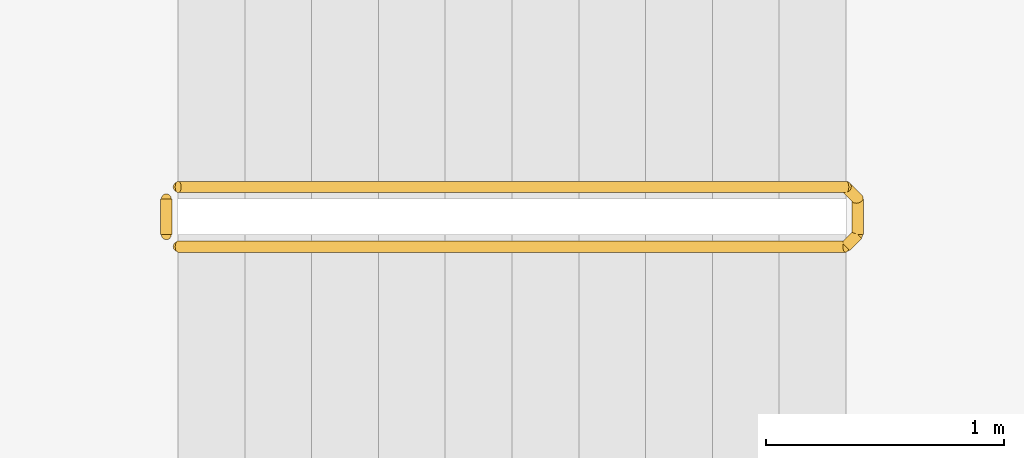
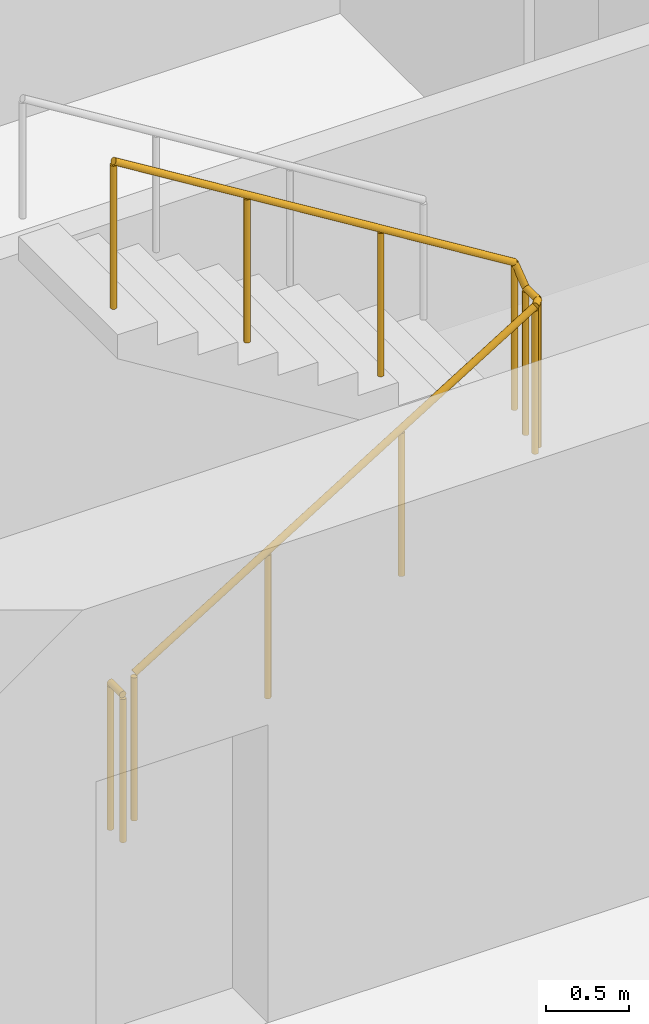
# One storey, part 10 of 14: 2 railings.
"""IFC4 building model written with IfcOpenShell, lengths in metres."""

from ifc_helpers import new_model, si_unit, direction, frame, origin, origin_2d, place, context, subcontext, project, spatial, circle, extrude, material, type_object, element, save


model = new_model("IFC4")

# Units and contexts
model_context = context("Model", 3, precision=1e-05, world=origin(), true_north=direction((0.0, 1.0)))
body_context = subcontext(model_context, "Body", "Model", "MODEL_VIEW")
ifc_project = project(units=[si_unit("LENGTHUNIT", "METRE"), si_unit("AREAUNIT", "SQUARE_METRE"), si_unit("VOLUMEUNIT", "CUBIC_METRE"), si_unit("PLANEANGLEUNIT", "RADIAN"), si_unit("MASSUNIT", "GRAM", prefix="KILO")], contexts=[model_context])

# Site, building, storey
site_placement = place(None, origin())
site = spatial("IfcSite", under=ifc_project, at=site_placement, CompositionType="ELEMENT")
building_placement = place(site_placement, origin())
building = spatial("IfcBuilding", under=site, at=building_placement, Name="Orbiselva Terraces", CompositionType="ELEMENT")
storey_placement = place(building_placement, frame((0.0, 0.0, 30.2)))
storey = spatial("IfcBuildingStorey", under=building, at=storey_placement, Name="L07", CompositionType="ELEMENT", Elevation=30.2)

# Railings
ifc_material = material(Name="Stainless steel", Category="steel")
railing_type = type_object("IfcRailingType", Name="CORE-GUARD-1100", PredefinedType="GUARDRAIL", material=ifc_material)
railing_1_placement = place(storey_placement, frame((-7.15, 6.55, 0.172727)))
element("IfcRailing", 1, at=railing_1_placement, inside=storey, type_object=railing_type, Name="L07 S3 stair guard 1", PredefinedType="GUARDRAIL", context=body_context, shape_type="SweptSolid", body=[
    extrude(circle(Radius=0.024, at=origin_2d()), frame((0.0, 0.0, 1.081), z_axis=(0.851088519012, 0.0, 0.52502222125), x_axis=(0.0, 1.0, 0.0)), (0.0, 0.0, 1.0), 3.289905),
    extrude(circle(Radius=0.024, at=origin_2d()), frame((2.8, 0.0, 2.808273), z_axis=(0.707106781187, 0.707106781187, 0.0), x_axis=(-0.707106781187, 0.707106781187, 0.0)), (0.0, 0.0, 1.0), 0.070711),
    extrude(circle(Radius=0.024, at=origin_2d()), frame((2.85, 0.05, 2.808273), z_axis=(0.0, 1.0, 0.0), x_axis=(-1.0, 0.0, 0.0)), (0.0, 0.0, 1.0), 0.15),
    extrude(circle(Radius=0.024, at=origin_2d()), frame((2.85, 0.2, 2.808273), z_axis=(-0.267894925557, 0.267894925557, 0.925453736133), x_axis=(-0.707106781187, -0.707106781187, 0.0)), (0.0, 0.0, 1.0), 0.18664),
    extrude(circle(Radius=0.024, at=origin_2d()), frame((2.8, 0.25, 2.981), z_axis=(-0.851088519012, 0.0, 0.52502222125), x_axis=(0.0, -1.0, 0.0)), (0.0, 0.0, 1.0), 3.289905),
    extrude(circle(Radius=0.021, at=origin_2d()), origin(), (0.0, 0.0, 1.0), 1.057),
    extrude(circle(Radius=0.021, at=origin_2d()), frame((0.933333, 0.0, 0.575758)), (0.0, 0.0, 1.0), 1.057),
    extrude(circle(Radius=0.021, at=origin_2d()), frame((1.866667, 0.0, 1.151515)), (0.0, 0.0, 1.0), 1.057),
    extrude(circle(Radius=0.021, at=origin_2d()), frame((2.8, 0.0, 1.727273)), (0.0, 0.0, 1.0), 1.057),
    extrude(circle(Radius=0.021, at=origin_2d()), frame((2.85, 0.05, 1.727273)), (0.0, 0.0, 1.0), 1.057),
    extrude(circle(Radius=0.021, at=origin_2d()), frame((2.85, 0.2, 1.727273)), (0.0, 0.0, 1.0), 1.057),
    extrude(circle(Radius=0.021, at=origin_2d()), frame((2.8, 0.25, 1.9)), (0.0, 0.0, 1.0), 1.057),
    extrude(circle(Radius=0.021, at=origin_2d()), frame((1.866667, 0.25, 2.475758)), (0.0, 0.0, 1.0), 1.057),
    extrude(circle(Radius=0.021, at=origin_2d()), frame((0.933333, 0.25, 3.051515)), (0.0, 0.0, 1.0), 1.057),
    extrude(circle(Radius=0.021, at=origin_2d()), frame((0.0, 0.25, 3.627273)), (0.0, 0.0, 1.0), 1.057),
])
railing_2_placement = place(storey_placement, frame((-7.2, 6.6, 0.0)))
element("IfcRailing", 2, at=railing_2_placement, inside=storey, type_object=railing_type, Name="L07 S3 stair guard 2", PredefinedType="GUARDRAIL", context=body_context, shape_type="SweptSolid", body=[
    extrude(circle(Radius=0.024, at=origin_2d()), frame((0.0, 0.0, 1.081), z_axis=(0.0, 1.0, 0.0), x_axis=(-1.0, 0.0, 0.0)), (0.0, 0.0, 1.0), 0.15),
    extrude(circle(Radius=0.021, at=origin_2d()), origin(), (0.0, 0.0, 1.0), 1.057),
    extrude(circle(Radius=0.021, at=origin_2d()), frame((0.0, 0.15, 0.0)), (0.0, 0.0, 1.0), 1.057),
])

save(model, "model.ifc")
